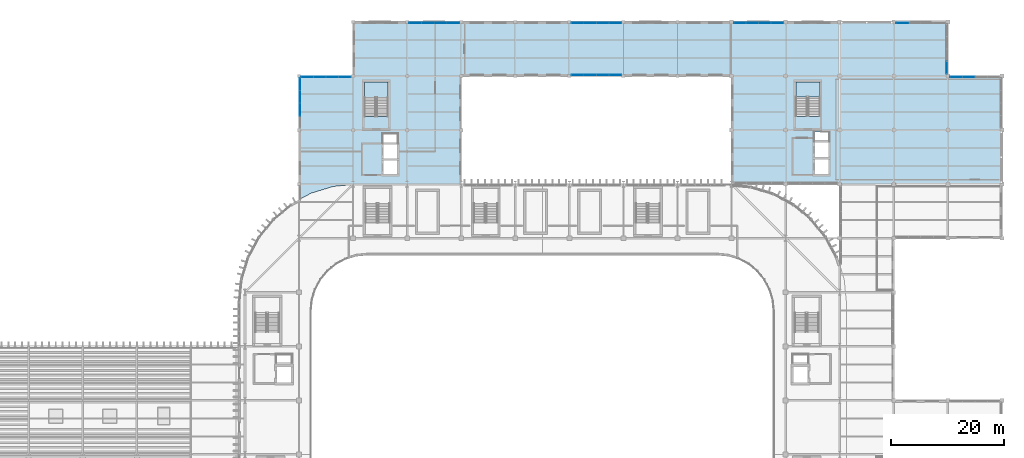
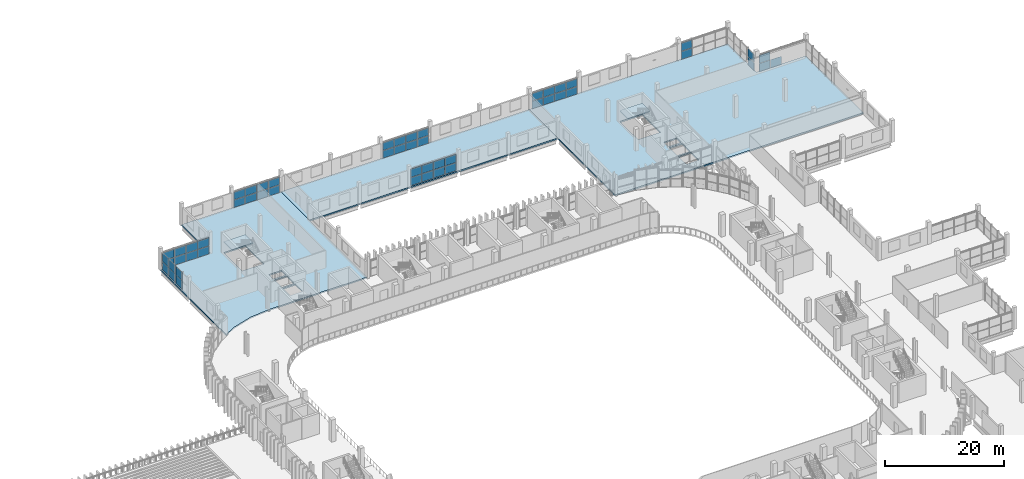
# One storey, part 54 of 92: 53 plates, 5 slabs, 11 elements without a shape of their own.
"""IFC4 building model written with IfcOpenShell, lengths in metres."""

from ifc_helpers import new_model, si_unit, direction, frame, origin, origin_2d, place, context, subcontext, project, spatial, polyline, rectangle, outline, extrude, material, layer, layer_set, type_object, element, aggregate, save


model = new_model("IFC4")

# Units and contexts
model_context = context("Model", 3, precision=1e-05, world=origin(), true_north=direction((0.0, 1.0)))
body_context = subcontext(model_context, "Body", "Model", "MODEL_VIEW")
ifc_project = project(units=[si_unit("LENGTHUNIT", "METRE"), si_unit("AREAUNIT", "SQUARE_METRE"), si_unit("VOLUMEUNIT", "CUBIC_METRE"), si_unit("PLANEANGLEUNIT", "RADIAN"), si_unit("MASSUNIT", "GRAM", prefix="KILO")], contexts=[model_context])

# Site, building, storey
site_placement = place(None, origin())
site = spatial("IfcSite", under=ifc_project, at=site_placement, CompositionType="ELEMENT")
building_placement = place(site_placement, origin())
building = spatial("IfcBuilding", under=site, at=building_placement, Name="Caelomonte Colonnade Arena", CompositionType="ELEMENT")
storey_placement = place(building_placement, frame((0.0, 0.0, 9.60009765625)))
storey = spatial("IfcBuildingStorey", under=building, at=storey_placement, Name="L02", CompositionType="ELEMENT", Elevation=9.60009765625)

# Curtain wall, plates
ifc_material_1 = material(Name="Bronze anodised aluminium and low-E glazing", Category="aluminium")
ifc_layer_1 = layer(ifc_material_1, 0.179931640625)
ifc_layer_set_1 = layer_set([ifc_layer_1], Name="Bronze anodised aluminium and low-E glazing")
curtain_wall_type_1 = type_object("IfcCurtainWallType", Name="ENV-CW-CW-L02-96-35", PredefinedType="USERDEFINED", material=ifc_layer_set_1)
curtain_wall_1_placement = place(storey_placement, origin())
curtain_wall_1 = element("IfcCurtainWall", 1, at=curtain_wall_1_placement, inside=storey, type_object=curtain_wall_type_1, Name="L02 unitized curtain wall CW-L02-1872-1342", ObjectType="UNITIZED CURTAIN WALL", PredefinedType="USERDEFINED")
ifc_material_2 = material(Name="Solar-control bronze low-E double glazing", Category="glass")
ifc_layer_2 = layer(ifc_material_2, 0.028076171875)
ifc_layer_set_2 = layer_set([ifc_layer_2], Name="Solar-control bronze low-E double glazing")
plate_type = type_object("IfcPlateType", Name="ENV-CW-PAN28", PredefinedType="CURTAIN_PANEL", material=ifc_layer_set_2)
plate_1_placement = place(storey_placement, frame((186.092529296875, 134.219970703125, 0.06494140625), z_axis=(0.0, 0.0, 1.0), x_axis=(-1.0, 0.0, 0.0)))
plate_1 = element("IfcPlate", 2, at=plate_1_placement, type_object=plate_type, Name="CW-L02-96-35 panel 3.1", PredefinedType="CURTAIN_PANEL", context=body_context, shape_type="SweptSolid", body=[
    extrude(rectangle(XDim=2.14990234375, YDim=0.028076171875, at=origin_2d()), origin(), (0.0, 0.0, 1.0), 1.63525390625),
])
plate_2_placement = place(storey_placement, frame((183.893798828125, 134.219970703125, 0.06494140625), z_axis=(0.0, 0.0, 1.0), x_axis=(-1.0, 0.0, 0.0)))
plate_2 = element("IfcPlate", 3, at=plate_2_placement, type_object=plate_type, Name="CW-L02-96-35 panel 4.1", PredefinedType="CURTAIN_PANEL", context=body_context, shape_type="SweptSolid", body=[
    extrude(rectangle(XDim=2.117431640625, YDim=0.028076171875, at=origin_2d()), origin(), (0.0, 0.0, 1.0), 1.63525390625),
])
plate_3_placement = place(storey_placement, frame((183.893798828125, 134.219970703125, 1.76513671875), z_axis=(0.0, 0.0, 1.0), x_axis=(-1.0, 0.0, 0.0)))
plate_3 = element("IfcPlate", 4, at=plate_3_placement, type_object=plate_type, Name="CW-L02-96-35 panel 4.2", PredefinedType="CURTAIN_PANEL", context=body_context, shape_type="SweptSolid", body=[
    extrude(rectangle(XDim=2.117431640625, YDim=0.028076171875, at=origin_2d()), origin(), (0.0, 0.0, 1.0), 1.63525390625),
])
aggregate(curtain_wall_1, [plate_1, plate_2, plate_3])

curtain_wall_2_placement = place(storey_placement, origin())
curtain_wall_2 = element("IfcCurtainWall", 5, at=curtain_wall_2_placement, inside=storey, type_object=curtain_wall_type_1, Name="L02 unitized curtain wall CW-L02-1822-1392", ObjectType="UNITIZED CURTAIN WALL", PredefinedType="USERDEFINED")
plate_4_placement = place(storey_placement, frame((182.219970703125, 135.893798828125, 0.06494140625), z_axis=(0.0, 0.0, 1.0), x_axis=(0.0, 1.0, 0.0)))
plate_4 = element("IfcPlate", 6, at=plate_4_placement, type_object=plate_type, Name="CW-L02-96-35 panel 1.1", PredefinedType="CURTAIN_PANEL", context=body_context, shape_type="SweptSolid", body=[
    extrude(rectangle(XDim=2.117431640625, YDim=0.028076171875, at=origin_2d()), origin(), (0.0, 0.0, 1.0), 1.637451171875),
])
plate_5_placement = place(storey_placement, frame((182.219970703125, 135.893798828125, 1.767578125), z_axis=(0.0, 0.0, 1.0), x_axis=(0.0, 1.0, 0.0)))
plate_5 = element("IfcPlate", 7, at=plate_5_placement, type_object=plate_type, Name="CW-L02-96-35 panel 1.2", PredefinedType="CURTAIN_PANEL", context=body_context, shape_type="SweptSolid", body=[
    extrude(rectangle(XDim=2.117431640625, YDim=0.028076171875, at=origin_2d()), origin(), (0.0, 0.0, 1.0), 1.637451171875),
])
aggregate(curtain_wall_2, [plate_4, plate_5])

curtain_wall_3_placement = place(storey_placement, origin())
curtain_wall_3 = element("IfcCurtainWall", 8, at=curtain_wall_3_placement, inside=storey, type_object=curtain_wall_type_1, Name="L02 unitized curtain wall CW-L02-1776-1438", ObjectType="UNITIZED CURTAIN WALL", PredefinedType="USERDEFINED")
plate_6_placement = place(storey_placement, frame((174.293701171875, 143.820068359375, 0.06494140625), z_axis=(0.0, 0.0, 1.0), x_axis=(-1.0, 0.0, 0.0)))
plate_6 = element("IfcPlate", 9, at=plate_6_placement, type_object=plate_type, Name="CW-L02-96-35 panel 4.1", PredefinedType="CURTAIN_PANEL", context=body_context, shape_type="SweptSolid", body=[
    extrude(rectangle(XDim=2.117431640625, YDim=0.028076171875, at=origin_2d()), origin(), (0.0, 0.0, 1.0), 1.637451171875),
])
plate_7_placement = place(storey_placement, frame((174.293701171875, 143.820068359375, 1.767578125), z_axis=(0.0, 0.0, 1.0), x_axis=(-1.0, 0.0, 0.0)))
plate_7 = element("IfcPlate", 10, at=plate_7_placement, type_object=plate_type, Name="CW-L02-96-35 panel 4.2", PredefinedType="CURTAIN_PANEL", context=body_context, shape_type="SweptSolid", body=[
    extrude(rectangle(XDim=2.117431640625, YDim=0.028076171875, at=origin_2d()), origin(), (0.0, 0.0, 1.0), 1.637451171875),
])
aggregate(curtain_wall_3, [plate_6, plate_7])

ifc_layer_3 = layer(ifc_material_1, 0.179931640625)
ifc_layer_set_3 = layer_set([ifc_layer_3], Name="Bronze anodised aluminium and low-E glazing")
curtain_wall_type_2 = type_object("IfcCurtainWallType", Name="ENV-CW-CW-L02-96-33", PredefinedType="USERDEFINED", material=ifc_layer_set_3)
curtain_wall_4_placement = place(storey_placement, origin())
curtain_wall_4 = element("IfcCurtainWall", 11, at=curtain_wall_4_placement, inside=storey, type_object=curtain_wall_type_2, Name="L02 unitized curtain wall CW-L02-1488-1438", ObjectType="UNITIZED CURTAIN WALL", PredefinedType="USERDEFINED")
plate_8_placement = place(storey_placement, frame((152.106201171875, 143.820068359375, 0.06494140625), z_axis=(0.0, 0.0, 1.0), x_axis=(-1.0, 0.0, 0.0)))
plate_8 = element("IfcPlate", 12, at=plate_8_placement, type_object=plate_type, Name="CW-L02-96-33 panel 1.1", PredefinedType="CURTAIN_PANEL", context=body_context, shape_type="SweptSolid", body=[
    extrude(rectangle(XDim=2.117431640625, YDim=0.028076171875, at=origin_2d()), origin(), (0.0, 0.0, 1.0), 1.549072265625),
])
plate_9_placement = place(storey_placement, frame((152.106201171875, 143.820068359375, 1.6787109375), z_axis=(0.0, 0.0, 1.0), x_axis=(-1.0, 0.0, 0.0)))
plate_9 = element("IfcPlate", 13, at=plate_9_placement, type_object=plate_type, Name="CW-L02-96-33 panel 1.2", PredefinedType="CURTAIN_PANEL", context=body_context, shape_type="SweptSolid", body=[
    extrude(rectangle(XDim=2.117431640625, YDim=0.028076171875, at=origin_2d()), origin(), (0.0, 0.0, 1.0), 1.549072265625),
])
plate_10_placement = place(storey_placement, frame((149.907470703125, 143.820068359375, 0.06494140625), z_axis=(0.0, 0.0, 1.0), x_axis=(-1.0, 0.0, 0.0)))
plate_10 = element("IfcPlate", 14, at=plate_10_placement, type_object=plate_type, Name="CW-L02-96-33 panel 2.1", PredefinedType="CURTAIN_PANEL", context=body_context, shape_type="SweptSolid", body=[
    extrude(rectangle(XDim=2.14990234375, YDim=0.028076171875, at=origin_2d()), origin(), (0.0, 0.0, 1.0), 1.549072265625),
])
plate_11_placement = place(storey_placement, frame((149.907470703125, 143.820068359375, 1.6787109375), z_axis=(0.0, 0.0, 1.0), x_axis=(-1.0, 0.0, 0.0)))
plate_11 = element("IfcPlate", 15, at=plate_11_placement, type_object=plate_type, Name="CW-L02-96-33 panel 2.2", PredefinedType="CURTAIN_PANEL", context=body_context, shape_type="SweptSolid", body=[
    extrude(rectangle(XDim=2.14990234375, YDim=0.028076171875, at=origin_2d()), origin(), (0.0, 0.0, 1.0), 1.549072265625),
])
plate_12_placement = place(storey_placement, frame((147.6923828125, 143.820068359375, 0.06494140625), z_axis=(0.0, 0.0, 1.0), x_axis=(-1.0, 0.0, 0.0)))
plate_12 = element("IfcPlate", 16, at=plate_12_placement, type_object=plate_type, Name="CW-L02-96-33 panel 3.1", PredefinedType="CURTAIN_PANEL", context=body_context, shape_type="SweptSolid", body=[
    extrude(rectangle(XDim=2.14990234375, YDim=0.028076171875, at=origin_2d()), origin(), (0.0, 0.0, 1.0), 1.549072265625),
])
plate_13_placement = place(storey_placement, frame((147.6923828125, 143.820068359375, 1.6787109375), z_axis=(0.0, 0.0, 1.0), x_axis=(-1.0, 0.0, 0.0)))
plate_13 = element("IfcPlate", 17, at=plate_13_placement, type_object=plate_type, Name="CW-L02-96-33 panel 3.2", PredefinedType="CURTAIN_PANEL", context=body_context, shape_type="SweptSolid", body=[
    extrude(rectangle(XDim=2.14990234375, YDim=0.028076171875, at=origin_2d()), origin(), (0.0, 0.0, 1.0), 1.549072265625),
])
plate_14_placement = place(storey_placement, frame((145.49365234375, 143.820068359375, 0.06494140625), z_axis=(0.0, 0.0, 1.0), x_axis=(-1.0, 0.0, 0.0)))
plate_14 = element("IfcPlate", 18, at=plate_14_placement, type_object=plate_type, Name="CW-L02-96-33 panel 4.1", PredefinedType="CURTAIN_PANEL", context=body_context, shape_type="SweptSolid", body=[
    extrude(rectangle(XDim=2.117431640625, YDim=0.028076171875, at=origin_2d()), origin(), (0.0, 0.0, 1.0), 1.549072265625),
])
plate_15_placement = place(storey_placement, frame((145.49365234375, 143.820068359375, 1.6787109375), z_axis=(0.0, 0.0, 1.0), x_axis=(-1.0, 0.0, 0.0)))
plate_15 = element("IfcPlate", 19, at=plate_15_placement, type_object=plate_type, Name="CW-L02-96-33 panel 4.2", PredefinedType="CURTAIN_PANEL", context=body_context, shape_type="SweptSolid", body=[
    extrude(rectangle(XDim=2.117431640625, YDim=0.028076171875, at=origin_2d()), origin(), (0.0, 0.0, 1.0), 1.549072265625),
])
aggregate(curtain_wall_4, [plate_8, plate_9, plate_10, plate_11, plate_12, plate_13, plate_14, plate_15])

curtain_wall_5_placement = place(storey_placement, origin())
curtain_wall_5 = element("IfcCurtainWall", 20, at=curtain_wall_5_placement, inside=storey, type_object=curtain_wall_type_2, Name="L02 unitized curtain wall CW-L02-1200-1438", ObjectType="UNITIZED CURTAIN WALL", PredefinedType="USERDEFINED")
plate_16_placement = place(storey_placement, frame((123.34375, 143.820068359375, 0.06494140625), z_axis=(0.0, 0.0, 1.0), x_axis=(-1.0, 0.0, 0.0)))
plate_16 = element("IfcPlate", 21, at=plate_16_placement, type_object=plate_type, Name="CW-L02-96-33 panel 1.1", PredefinedType="CURTAIN_PANEL", context=body_context, shape_type="SweptSolid", body=[
    extrude(rectangle(XDim=2.142578125, YDim=0.028076171875, at=origin_2d()), origin(), (0.0, 0.0, 1.0), 1.549072265625),
])
plate_17_placement = place(storey_placement, frame((123.34375, 143.820068359375, 1.6787109375), z_axis=(0.0, 0.0, 1.0), x_axis=(-1.0, 0.0, 0.0)))
plate_17 = element("IfcPlate", 22, at=plate_17_placement, type_object=plate_type, Name="CW-L02-96-33 panel 1.2", PredefinedType="CURTAIN_PANEL", context=body_context, shape_type="SweptSolid", body=[
    extrude(rectangle(XDim=2.142578125, YDim=0.028076171875, at=origin_2d()), origin(), (0.0, 0.0, 1.0), 1.549072265625),
])
plate_18_placement = place(storey_placement, frame((121.1201171875, 143.820068359375, 0.06494140625), z_axis=(0.0, 0.0, 1.0), x_axis=(-1.0, 0.0, 0.0)))
plate_18 = element("IfcPlate", 23, at=plate_18_placement, type_object=plate_type, Name="CW-L02-96-33 panel 2.1", PredefinedType="CURTAIN_PANEL", context=body_context, shape_type="SweptSolid", body=[
    extrude(rectangle(XDim=2.175048828125, YDim=0.028076171875, at=origin_2d()), origin(), (0.0, 0.0, 1.0), 1.549072265625),
])
plate_19_placement = place(storey_placement, frame((121.1201171875, 143.820068359375, 1.6787109375), z_axis=(0.0, 0.0, 1.0), x_axis=(-1.0, 0.0, 0.0)))
plate_19 = element("IfcPlate", 24, at=plate_19_placement, type_object=plate_type, Name="CW-L02-96-33 panel 2.2", PredefinedType="CURTAIN_PANEL", context=body_context, shape_type="SweptSolid", body=[
    extrude(rectangle(XDim=2.175048828125, YDim=0.028076171875, at=origin_2d()), origin(), (0.0, 0.0, 1.0), 1.549072265625),
])
plate_20_placement = place(storey_placement, frame((118.8798828125, 143.820068359375, 0.06494140625), z_axis=(0.0, 0.0, 1.0), x_axis=(-1.0, 0.0, 0.0)))
plate_20 = element("IfcPlate", 25, at=plate_20_placement, type_object=plate_type, Name="CW-L02-96-33 panel 3.1", PredefinedType="CURTAIN_PANEL", context=body_context, shape_type="SweptSolid", body=[
    extrude(rectangle(XDim=2.175048828125, YDim=0.028076171875, at=origin_2d()), origin(), (0.0, 0.0, 1.0), 1.549072265625),
])
plate_21_placement = place(storey_placement, frame((118.8798828125, 143.820068359375, 1.6787109375), z_axis=(0.0, 0.0, 1.0), x_axis=(-1.0, 0.0, 0.0)))
plate_21 = element("IfcPlate", 26, at=plate_21_placement, type_object=plate_type, Name="CW-L02-96-33 panel 3.2", PredefinedType="CURTAIN_PANEL", context=body_context, shape_type="SweptSolid", body=[
    extrude(rectangle(XDim=2.175048828125, YDim=0.028076171875, at=origin_2d()), origin(), (0.0, 0.0, 1.0), 1.549072265625),
])
plate_22_placement = place(storey_placement, frame((116.65625, 143.820068359375, 0.06494140625), z_axis=(0.0, 0.0, 1.0), x_axis=(-1.0, 0.0, 0.0)))
plate_22 = element("IfcPlate", 27, at=plate_22_placement, type_object=plate_type, Name="CW-L02-96-33 panel 4.1", PredefinedType="CURTAIN_PANEL", context=body_context, shape_type="SweptSolid", body=[
    extrude(rectangle(XDim=2.142578125, YDim=0.028076171875, at=origin_2d()), origin(), (0.0, 0.0, 1.0), 1.549072265625),
])
plate_23_placement = place(storey_placement, frame((116.65625, 143.820068359375, 1.6787109375), z_axis=(0.0, 0.0, 1.0), x_axis=(-1.0, 0.0, 0.0)))
plate_23 = element("IfcPlate", 28, at=plate_23_placement, type_object=plate_type, Name="CW-L02-96-33 panel 4.2", PredefinedType="CURTAIN_PANEL", context=body_context, shape_type="SweptSolid", body=[
    extrude(rectangle(XDim=2.142578125, YDim=0.028076171875, at=origin_2d()), origin(), (0.0, 0.0, 1.0), 1.549072265625),
])
aggregate(curtain_wall_5, [plate_16, plate_17, plate_18, plate_19, plate_20, plate_21, plate_22, plate_23])

curtain_wall_6_placement = place(storey_placement, origin())
curtain_wall_6 = element("IfcCurtainWall", 29, at=curtain_wall_6_placement, inside=storey, type_object=curtain_wall_type_2, Name="L02 unitized curtain wall CW-L02-0912-1438", ObjectType="UNITIZED CURTAIN WALL", PredefinedType="USERDEFINED")
plate_24_placement = place(storey_placement, frame((94.543701171875, 143.820068359375, 0.06494140625), z_axis=(0.0, 0.0, 1.0), x_axis=(-1.0, 0.0, 0.0)))
plate_24 = element("IfcPlate", 30, at=plate_24_placement, type_object=plate_type, Name="CW-L02-96-33 panel 1.1", PredefinedType="CURTAIN_PANEL", context=body_context, shape_type="SweptSolid", body=[
    extrude(rectangle(XDim=2.142578125, YDim=0.028076171875, at=origin_2d()), origin(), (0.0, 0.0, 1.0), 1.549072265625),
])
plate_25_placement = place(storey_placement, frame((94.543701171875, 143.820068359375, 1.6787109375), z_axis=(0.0, 0.0, 1.0), x_axis=(-1.0, 0.0, 0.0)))
plate_25 = element("IfcPlate", 31, at=plate_25_placement, type_object=plate_type, Name="CW-L02-96-33 panel 1.2", PredefinedType="CURTAIN_PANEL", context=body_context, shape_type="SweptSolid", body=[
    extrude(rectangle(XDim=2.142578125, YDim=0.028076171875, at=origin_2d()), origin(), (0.0, 0.0, 1.0), 1.549072265625),
])
plate_26_placement = place(storey_placement, frame((92.320068359375, 143.820068359375, 0.06494140625), z_axis=(0.0, 0.0, 1.0), x_axis=(-1.0, 0.0, 0.0)))
plate_26 = element("IfcPlate", 32, at=plate_26_placement, type_object=plate_type, Name="CW-L02-96-33 panel 2.1", PredefinedType="CURTAIN_PANEL", context=body_context, shape_type="SweptSolid", body=[
    extrude(rectangle(XDim=2.175048828125, YDim=0.028076171875, at=origin_2d()), origin(), (0.0, 0.0, 1.0), 1.549072265625),
])
plate_27_placement = place(storey_placement, frame((92.320068359375, 143.820068359375, 1.6787109375), z_axis=(0.0, 0.0, 1.0), x_axis=(-1.0, 0.0, 0.0)))
plate_27 = element("IfcPlate", 33, at=plate_27_placement, type_object=plate_type, Name="CW-L02-96-33 panel 2.2", PredefinedType="CURTAIN_PANEL", context=body_context, shape_type="SweptSolid", body=[
    extrude(rectangle(XDim=2.175048828125, YDim=0.028076171875, at=origin_2d()), origin(), (0.0, 0.0, 1.0), 1.549072265625),
])
plate_28_placement = place(storey_placement, frame((90.080078125, 143.820068359375, 0.06494140625), z_axis=(0.0, 0.0, 1.0), x_axis=(-1.0, 0.0, 0.0)))
plate_28 = element("IfcPlate", 34, at=plate_28_placement, type_object=plate_type, Name="CW-L02-96-33 panel 3.1", PredefinedType="CURTAIN_PANEL", context=body_context, shape_type="SweptSolid", body=[
    extrude(rectangle(XDim=2.175048828125, YDim=0.028076171875, at=origin_2d()), origin(), (0.0, 0.0, 1.0), 1.549072265625),
])
plate_29_placement = place(storey_placement, frame((90.080078125, 143.820068359375, 1.6787109375), z_axis=(0.0, 0.0, 1.0), x_axis=(-1.0, 0.0, 0.0)))
plate_29 = element("IfcPlate", 35, at=plate_29_placement, type_object=plate_type, Name="CW-L02-96-33 panel 3.2", PredefinedType="CURTAIN_PANEL", context=body_context, shape_type="SweptSolid", body=[
    extrude(rectangle(XDim=2.175048828125, YDim=0.028076171875, at=origin_2d()), origin(), (0.0, 0.0, 1.0), 1.549072265625),
])
plate_30_placement = place(storey_placement, frame((87.856201171875, 143.820068359375, 0.06494140625), z_axis=(0.0, 0.0, 1.0), x_axis=(-1.0, 0.0, 0.0)))
plate_30 = element("IfcPlate", 36, at=plate_30_placement, type_object=plate_type, Name="CW-L02-96-33 panel 4.1", PredefinedType="CURTAIN_PANEL", context=body_context, shape_type="SweptSolid", body=[
    extrude(rectangle(XDim=2.142578125, YDim=0.028076171875, at=origin_2d()), origin(), (0.0, 0.0, 1.0), 1.549072265625),
])
plate_31_placement = place(storey_placement, frame((87.856201171875, 143.820068359375, 1.6787109375), z_axis=(0.0, 0.0, 1.0), x_axis=(-1.0, 0.0, 0.0)))
plate_31 = element("IfcPlate", 37, at=plate_31_placement, type_object=plate_type, Name="CW-L02-96-33 panel 4.2", PredefinedType="CURTAIN_PANEL", context=body_context, shape_type="SweptSolid", body=[
    extrude(rectangle(XDim=2.142578125, YDim=0.028076171875, at=origin_2d()), origin(), (0.0, 0.0, 1.0), 1.549072265625),
])
aggregate(curtain_wall_6, [plate_24, plate_25, plate_26, plate_27, plate_28, plate_29, plate_30, plate_31])

curtain_wall_7_placement = place(storey_placement, origin())
curtain_wall_7 = element("IfcCurtainWall", 38, at=curtain_wall_7_placement, inside=storey, type_object=curtain_wall_type_1, Name="L02 unitized curtain wall CW-L02-0720-1342", ObjectType="UNITIZED CURTAIN WALL", PredefinedType="USERDEFINED")
plate_32_placement = place(storey_placement, frame((75.34375, 134.219970703125, 0.06494140625), z_axis=(0.0, 0.0, 1.0), x_axis=(-1.0, 0.0, 0.0)))
plate_32 = element("IfcPlate", 39, at=plate_32_placement, type_object=plate_type, Name="CW-L02-96-35 panel 1.1", PredefinedType="CURTAIN_PANEL", context=body_context, shape_type="SweptSolid", body=[
    extrude(rectangle(XDim=2.142578125, YDim=0.028076171875, at=origin_2d()), origin(), (0.0, 0.0, 1.0), 1.63525390625),
])
plate_33_placement = place(storey_placement, frame((75.34375, 134.219970703125, 1.76513671875), z_axis=(0.0, 0.0, 1.0), x_axis=(-1.0, 0.0, 0.0)))
plate_33 = element("IfcPlate", 40, at=plate_33_placement, type_object=plate_type, Name="CW-L02-96-35 panel 1.2", PredefinedType="CURTAIN_PANEL", context=body_context, shape_type="SweptSolid", body=[
    extrude(rectangle(XDim=2.142578125, YDim=0.028076171875, at=origin_2d()), origin(), (0.0, 0.0, 1.0), 1.63525390625),
])
plate_34_placement = place(storey_placement, frame((73.1201171875, 134.219970703125, 0.06494140625), z_axis=(0.0, 0.0, 1.0), x_axis=(-1.0, 0.0, 0.0)))
plate_34 = element("IfcPlate", 41, at=plate_34_placement, type_object=plate_type, Name="CW-L02-96-35 panel 2.1", PredefinedType="CURTAIN_PANEL", context=body_context, shape_type="SweptSolid", body=[
    extrude(rectangle(XDim=2.175048828125, YDim=0.028076171875, at=origin_2d()), origin(), (0.0, 0.0, 1.0), 1.63525390625),
])
plate_35_placement = place(storey_placement, frame((73.1201171875, 134.219970703125, 1.76513671875), z_axis=(0.0, 0.0, 1.0), x_axis=(-1.0, 0.0, 0.0)))
plate_35 = element("IfcPlate", 42, at=plate_35_placement, type_object=plate_type, Name="CW-L02-96-35 panel 2.2", PredefinedType="CURTAIN_PANEL", context=body_context, shape_type="SweptSolid", body=[
    extrude(rectangle(XDim=2.175048828125, YDim=0.028076171875, at=origin_2d()), origin(), (0.0, 0.0, 1.0), 1.63525390625),
])
plate_36_placement = place(storey_placement, frame((70.8798828125, 134.219970703125, 0.06494140625), z_axis=(0.0, 0.0, 1.0), x_axis=(-1.0, 0.0, 0.0)))
plate_36 = element("IfcPlate", 43, at=plate_36_placement, type_object=plate_type, Name="CW-L02-96-35 panel 3.1", PredefinedType="CURTAIN_PANEL", context=body_context, shape_type="SweptSolid", body=[
    extrude(rectangle(XDim=2.175048828125, YDim=0.028076171875, at=origin_2d()), origin(), (0.0, 0.0, 1.0), 1.63525390625),
])
plate_37_placement = place(storey_placement, frame((70.8798828125, 134.219970703125, 1.76513671875), z_axis=(0.0, 0.0, 1.0), x_axis=(-1.0, 0.0, 0.0)))
plate_37 = element("IfcPlate", 44, at=plate_37_placement, type_object=plate_type, Name="CW-L02-96-35 panel 3.2", PredefinedType="CURTAIN_PANEL", context=body_context, shape_type="SweptSolid", body=[
    extrude(rectangle(XDim=2.175048828125, YDim=0.028076171875, at=origin_2d()), origin(), (0.0, 0.0, 1.0), 1.63525390625),
])
plate_38_placement = place(storey_placement, frame((68.65625, 134.219970703125, 0.06494140625), z_axis=(0.0, 0.0, 1.0), x_axis=(-1.0, 0.0, 0.0)))
plate_38 = element("IfcPlate", 45, at=plate_38_placement, type_object=plate_type, Name="CW-L02-96-35 panel 4.1", PredefinedType="CURTAIN_PANEL", context=body_context, shape_type="SweptSolid", body=[
    extrude(rectangle(XDim=2.142578125, YDim=0.028076171875, at=origin_2d()), origin(), (0.0, 0.0, 1.0), 1.63525390625),
])
plate_39_placement = place(storey_placement, frame((68.65625, 134.219970703125, 1.76513671875), z_axis=(0.0, 0.0, 1.0), x_axis=(-1.0, 0.0, 0.0)))
plate_39 = element("IfcPlate", 46, at=plate_39_placement, type_object=plate_type, Name="CW-L02-96-35 panel 4.2", PredefinedType="CURTAIN_PANEL", context=body_context, shape_type="SweptSolid", body=[
    extrude(rectangle(XDim=2.142578125, YDim=0.028076171875, at=origin_2d()), origin(), (0.0, 0.0, 1.0), 1.63525390625),
])
aggregate(curtain_wall_7, [plate_32, plate_33, plate_34, plate_35, plate_36, plate_37, plate_38, plate_39])

ifc_layer_4 = layer(ifc_material_1, 0.179931640625)
ifc_layer_set_4 = layer_set([ifc_layer_4], Name="Bronze anodised aluminium and low-E glazing")
curtain_wall_type_3 = type_object("IfcCurtainWallType", Name="ENV-CW-CW-L02-96-36", PredefinedType="USERDEFINED", material=ifc_layer_set_4)
curtain_wall_8_placement = place(storey_placement, origin())
curtain_wall_8 = element("IfcCurtainWall", 47, at=curtain_wall_8_placement, inside=storey, type_object=curtain_wall_type_3, Name="L02 unitized curtain wall CW-L02-0674-1296", ObjectType="UNITIZED CURTAIN WALL", PredefinedType="USERDEFINED")
plate_40_placement = place(storey_placement, frame((67.3798828125, 132.94384765625, 0.06494140625), z_axis=(0.0, 0.0, 1.0), x_axis=(0.0, -1.0, 0.0)))
plate_40 = element("IfcPlate", 48, at=plate_40_placement, type_object=plate_type, Name="CW-L02-96-36 panel 1.1", PredefinedType="CURTAIN_PANEL", context=body_context, shape_type="SweptSolid", body=[
    extrude(rectangle(XDim=2.142578125, YDim=0.028076171875, at=origin_2d()), origin(), (0.0, 0.0, 1.0), 1.708984375),
])
plate_41_placement = place(storey_placement, frame((67.3798828125, 132.94384765625, 1.8388671875), z_axis=(0.0, 0.0, 1.0), x_axis=(0.0, -1.0, 0.0)))
plate_41 = element("IfcPlate", 49, at=plate_41_placement, type_object=plate_type, Name="CW-L02-96-36 panel 1.2", PredefinedType="CURTAIN_PANEL", context=body_context, shape_type="SweptSolid", body=[
    extrude(rectangle(XDim=2.142578125, YDim=0.028076171875, at=origin_2d()), origin(), (0.0, 0.0, 1.0), 1.708984375),
])
plate_42_placement = place(storey_placement, frame((67.3798828125, 130.719970703125, 0.06494140625), z_axis=(0.0, 0.0, 1.0), x_axis=(0.0, -1.0, 0.0)))
plate_42 = element("IfcPlate", 50, at=plate_42_placement, type_object=plate_type, Name="CW-L02-96-36 panel 2.1", PredefinedType="CURTAIN_PANEL", context=body_context, shape_type="SweptSolid", body=[
    extrude(rectangle(XDim=2.175048828125, YDim=0.028076171875, at=origin_2d()), origin(), (0.0, 0.0, 1.0), 1.708984375),
])
plate_43_placement = place(storey_placement, frame((67.3798828125, 130.719970703125, 1.8388671875), z_axis=(0.0, 0.0, 1.0), x_axis=(0.0, -1.0, 0.0)))
plate_43 = element("IfcPlate", 51, at=plate_43_placement, type_object=plate_type, Name="CW-L02-96-36 panel 2.2", PredefinedType="CURTAIN_PANEL", context=body_context, shape_type="SweptSolid", body=[
    extrude(rectangle(XDim=2.175048828125, YDim=0.028076171875, at=origin_2d()), origin(), (0.0, 0.0, 1.0), 1.708984375),
])
plate_44_placement = place(storey_placement, frame((67.3798828125, 128.47998046875, 0.06494140625), z_axis=(0.0, 0.0, 1.0), x_axis=(0.0, -1.0, 0.0)))
plate_44 = element("IfcPlate", 52, at=plate_44_placement, type_object=plate_type, Name="CW-L02-96-36 panel 3.1", PredefinedType="CURTAIN_PANEL", context=body_context, shape_type="SweptSolid", body=[
    extrude(rectangle(XDim=2.175048828125, YDim=0.028076171875, at=origin_2d()), origin(), (0.0, 0.0, 1.0), 1.708984375),
])
plate_45_placement = place(storey_placement, frame((67.3798828125, 128.47998046875, 1.8388671875), z_axis=(0.0, 0.0, 1.0), x_axis=(0.0, -1.0, 0.0)))
plate_45 = element("IfcPlate", 53, at=plate_45_placement, type_object=plate_type, Name="CW-L02-96-36 panel 3.2", PredefinedType="CURTAIN_PANEL", context=body_context, shape_type="SweptSolid", body=[
    extrude(rectangle(XDim=2.175048828125, YDim=0.028076171875, at=origin_2d()), origin(), (0.0, 0.0, 1.0), 1.708984375),
])
aggregate(curtain_wall_8, [plate_40, plate_41, plate_42, plate_43, plate_44, plate_45])

curtain_wall_9_placement = place(storey_placement, origin())
curtain_wall_9 = element("IfcCurtainWall", 54, at=curtain_wall_9_placement, inside=storey, type_object=curtain_wall_type_1, Name="L02 unitized curtain wall CW-L02-1200-1346", ObjectType="UNITIZED CURTAIN WALL", PredefinedType="USERDEFINED")
plate_46_placement = place(storey_placement, frame((116.65625, 134.580078125, 0.06494140625), z_axis=(0.0, 0.0, 1.0), x_axis=(1.0, 0.0, 0.0)))
plate_46 = element("IfcPlate", 55, at=plate_46_placement, type_object=plate_type, Name="CW-L02-96-35 panel 1.1", PredefinedType="CURTAIN_PANEL", context=body_context, shape_type="SweptSolid", body=[
    extrude(rectangle(XDim=2.142578125, YDim=0.028076171875, at=origin_2d()), origin(), (0.0, 0.0, 1.0), 1.63525390625),
])
plate_47_placement = place(storey_placement, frame((116.65625, 134.580078125, 1.76513671875), z_axis=(0.0, 0.0, 1.0), x_axis=(1.0, 0.0, 0.0)))
plate_47 = element("IfcPlate", 56, at=plate_47_placement, type_object=plate_type, Name="CW-L02-96-35 panel 1.2", PredefinedType="CURTAIN_PANEL", context=body_context, shape_type="SweptSolid", body=[
    extrude(rectangle(XDim=2.142578125, YDim=0.028076171875, at=origin_2d()), origin(), (0.0, 0.0, 1.0), 1.63525390625),
])
plate_48_placement = place(storey_placement, frame((118.8798828125, 134.580078125, 0.06494140625), z_axis=(0.0, 0.0, 1.0), x_axis=(1.0, 0.0, 0.0)))
plate_48 = element("IfcPlate", 57, at=plate_48_placement, type_object=plate_type, Name="CW-L02-96-35 panel 2.1", PredefinedType="CURTAIN_PANEL", context=body_context, shape_type="SweptSolid", body=[
    extrude(rectangle(XDim=2.175048828125, YDim=0.028076171875, at=origin_2d()), origin(), (0.0, 0.0, 1.0), 1.63525390625),
])
plate_49_placement = place(storey_placement, frame((118.8798828125, 134.580078125, 1.76513671875), z_axis=(0.0, 0.0, 1.0), x_axis=(1.0, 0.0, 0.0)))
plate_49 = element("IfcPlate", 58, at=plate_49_placement, type_object=plate_type, Name="CW-L02-96-35 panel 2.2", PredefinedType="CURTAIN_PANEL", context=body_context, shape_type="SweptSolid", body=[
    extrude(rectangle(XDim=2.175048828125, YDim=0.028076171875, at=origin_2d()), origin(), (0.0, 0.0, 1.0), 1.63525390625),
])
plate_50_placement = place(storey_placement, frame((121.1201171875, 134.580078125, 0.06494140625), z_axis=(0.0, 0.0, 1.0), x_axis=(1.0, 0.0, 0.0)))
plate_50 = element("IfcPlate", 59, at=plate_50_placement, type_object=plate_type, Name="CW-L02-96-35 panel 3.1", PredefinedType="CURTAIN_PANEL", context=body_context, shape_type="SweptSolid", body=[
    extrude(rectangle(XDim=2.175048828125, YDim=0.028076171875, at=origin_2d()), origin(), (0.0, 0.0, 1.0), 1.63525390625),
])
plate_51_placement = place(storey_placement, frame((121.1201171875, 134.580078125, 1.76513671875), z_axis=(0.0, 0.0, 1.0), x_axis=(1.0, 0.0, 0.0)))
plate_51 = element("IfcPlate", 60, at=plate_51_placement, type_object=plate_type, Name="CW-L02-96-35 panel 3.2", PredefinedType="CURTAIN_PANEL", context=body_context, shape_type="SweptSolid", body=[
    extrude(rectangle(XDim=2.175048828125, YDim=0.028076171875, at=origin_2d()), origin(), (0.0, 0.0, 1.0), 1.63525390625),
])
plate_52_placement = place(storey_placement, frame((123.34375, 134.580078125, 0.06494140625), z_axis=(0.0, 0.0, 1.0), x_axis=(1.0, 0.0, 0.0)))
plate_52 = element("IfcPlate", 61, at=plate_52_placement, type_object=plate_type, Name="CW-L02-96-35 panel 4.1", PredefinedType="CURTAIN_PANEL", context=body_context, shape_type="SweptSolid", body=[
    extrude(rectangle(XDim=2.142578125, YDim=0.028076171875, at=origin_2d()), origin(), (0.0, 0.0, 1.0), 1.63525390625),
])
plate_53_placement = place(storey_placement, frame((123.34375, 134.580078125, 1.76513671875), z_axis=(0.0, 0.0, 1.0), x_axis=(1.0, 0.0, 0.0)))
plate_53 = element("IfcPlate", 62, at=plate_53_placement, type_object=plate_type, Name="CW-L02-96-35 panel 4.2", PredefinedType="CURTAIN_PANEL", context=body_context, shape_type="SweptSolid", body=[
    extrude(rectangle(XDim=2.142578125, YDim=0.028076171875, at=origin_2d()), origin(), (0.0, 0.0, 1.0), 1.63525390625),
])
aggregate(curtain_wall_9, [plate_46, plate_47, plate_48, plate_49, plate_50, plate_51, plate_52, plate_53])

# Stair, slab
ifc_material_3 = material(Name="Concrete C40/50", Category="concrete")
stair_type = type_object("IfcStairType", Name="INT-ST-WING45", PredefinedType="HALF_TURN_STAIR", material=ifc_material_3)
stair_1_placement = place(storey_placement, origin())
stair_1 = element("IfcStair", 63, at=stair_1_placement, inside=storey, type_object=stair_type, Name="L02 Core C6 exit stair ST-06", PredefinedType="HALF_TURN_STAIR")
ifc_layer_5 = layer(ifc_material_3, 0.199951171875)
ifc_layer_set_5 = layer_set([ifc_layer_5], Name="Concrete C40/50")
slab_type_1 = type_object("IfcSlabType", Name="INT-SL-LAND20", PredefinedType="LANDING", material=ifc_layer_set_5)
slab_1_placement = place(storey_placement, frame((0.0, 0.0, 2.0498046875)))
slab_1 = element("IfcSlab", 64, at=slab_1_placement, type_object=slab_type_1, Name="ST-06 landing 1", PredefinedType="LANDING", context=body_context, shape_type="SweptSolid", body=[
    extrude(outline(polyline([(159.699951171875, 130.669921875), (159.699951171875, 133.35009765625), (155.39990234375, 133.35009765625), (155.39990234375, 130.669921875), (159.699951171875, 130.669921875)])), origin(), (0.0, 0.0, 1.0), 0.2001953125),
])
aggregate(stair_1, [slab_1])

stair_2_placement = place(storey_placement, origin())
stair_2 = element("IfcStair", 65, at=stair_2_placement, inside=storey, type_object=stair_type, Name="L02 Core C7 exit stair ST-07", PredefinedType="HALF_TURN_STAIR")
slab_2_placement = place(storey_placement, frame((0.0, 0.0, 2.0498046875)))
slab_2 = element("IfcSlab", 66, at=slab_2_placement, type_object=slab_type_1, Name="ST-07 landing 1", PredefinedType="LANDING", context=body_context, shape_type="SweptSolid", body=[
    extrude(outline(polyline([(83.0, 130.6201171875), (83.0, 133.35009765625), (78.800048828125, 133.35009765625), (78.800048828125, 130.6201171875), (83.0, 130.6201171875)])), origin(), (0.0, 0.0, 1.0), 0.2001953125),
])
aggregate(stair_2, [slab_2])

# Slabs
ifc_layer_6 = layer(ifc_material_3, 0.280029296875)
ifc_layer_set_6 = layer_set([ifc_layer_6], Name="Concrete C40/50")
slab_type_2 = type_object("IfcSlabType", Name="STR-SL-FLR28", PredefinedType="FLOOR", material=ifc_layer_set_6)
slab_3_placement = place(storey_placement, frame((0.0, 0.0, -0.280029296875)))
element("IfcSlab", 67, at=slab_3_placement, inside=storey, type_object=slab_type_2, Name="L02 structural floor slab SL-L02-V4-NW", PredefinedType="FLOOR", context=body_context, shape_type="SweptSolid", body=[
    extrude(outline(polyline([(96.0, 115.199951171875), (96.0, 144.0), (76.800048828125, 144.0), (76.800048828125, 134.39990234375), (67.199951171875, 134.39990234375), (67.199951171875, 112.445068359375), (69.363525390625, 113.6015625), (73.302978515625, 114.79638671875), (77.39990234375, 115.199951171875), (96.0, 115.199951171875)]), holes=[polyline([(82.179931640625, 116.97998046875), (82.179931640625, 119.419921875), (84.6201171875, 119.419921875), (84.6201171875, 116.97998046875), (82.179931640625, 116.97998046875)]), polyline([(82.179931640625, 119.780029296875), (82.179931640625, 122.219970703125), (84.6201171875, 122.219970703125), (84.6201171875, 119.780029296875), (82.179931640625, 119.780029296875)]), polyline([(82.179931640625, 124.02001953125), (84.6201171875, 124.02001953125), (84.6201171875, 122.580078125), (82.179931640625, 122.580078125), (82.179931640625, 124.02001953125)]), polyline([(78.800048828125, 133.35009765625), (83.0, 133.35009765625), (83.0, 127.199951171875), (78.800048828125, 127.199951171875), (78.800048828125, 133.35009765625)])]), origin(), (0.0, 0.0, 1.0), 0.280029296875),
])
slab_4_placement = place(storey_placement, frame((0.0, 0.0, -0.280029296875)))
element("IfcSlab", 68, at=slab_4_placement, inside=storey, type_object=slab_type_2, Name="L02 structural floor slab SL-L02-V4-N", PredefinedType="FLOOR", context=body_context, shape_type="SweptSolid", body=[
    extrude(outline(polyline([(96.0, 134.39990234375), (144.0, 134.39990234375), (144.0, 144.0), (96.0, 144.0), (96.0, 134.39990234375)])), origin(), (0.0, 0.0, 1.0), 0.280029296875),
])
slab_5_placement = place(storey_placement, frame((0.0, 0.0, -0.280029296875)))
element("IfcSlab", 69, at=slab_5_placement, inside=storey, type_object=slab_type_2, Name="L02 structural floor slab SL-L02-V4-NE", PredefinedType="FLOOR", context=body_context, shape_type="SweptSolid", body=[
    extrude(outline(polyline([(144.0, 115.199951171875), (192.0, 115.199951171875), (192.0, 134.39990234375), (182.39990234375, 134.39990234375), (182.39990234375, 144.0), (144.0, 144.0), (144.0, 115.199951171875)]), holes=[polyline([(158.780029296875, 116.97998046875), (158.780029296875, 119.6201171875), (161.219970703125, 119.6201171875), (161.219970703125, 116.97998046875), (158.780029296875, 116.97998046875)]), polyline([(158.780029296875, 119.97998046875), (158.780029296875, 122.6201171875), (161.219970703125, 122.6201171875), (161.219970703125, 119.97998046875), (158.780029296875, 119.97998046875)]), polyline([(158.780029296875, 124.419921875), (161.219970703125, 124.419921875), (161.219970703125, 122.97998046875), (158.780029296875, 122.97998046875), (158.780029296875, 124.419921875)]), polyline([(155.39990234375, 133.35009765625), (159.699951171875, 133.35009765625), (159.699951171875, 127.25), (155.39990234375, 127.25), (155.39990234375, 133.35009765625)])]), origin(), (0.0, 0.0, 1.0), 0.280029296875),
])

save(model, "model.ifc")
